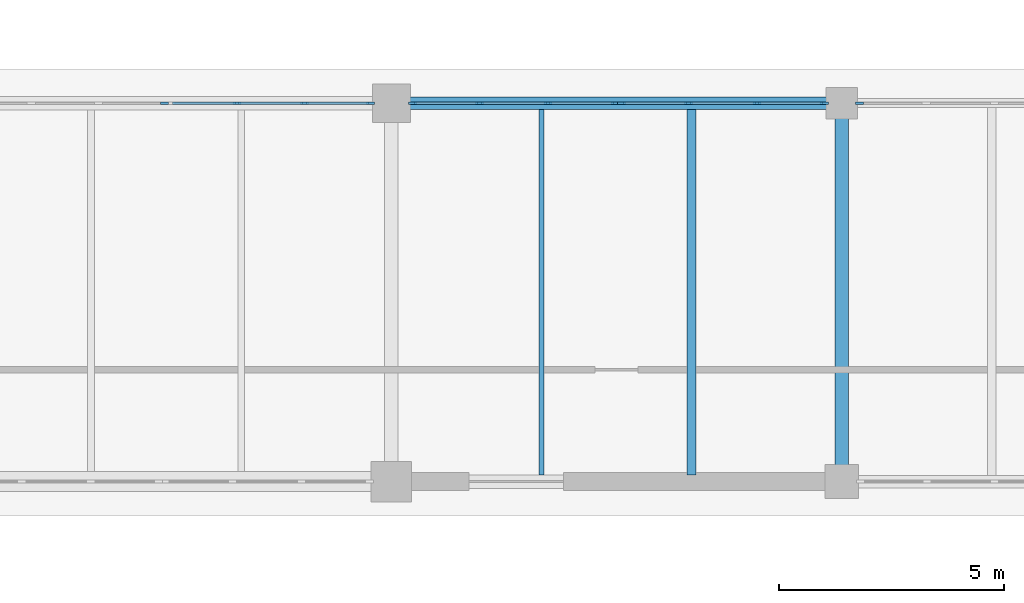
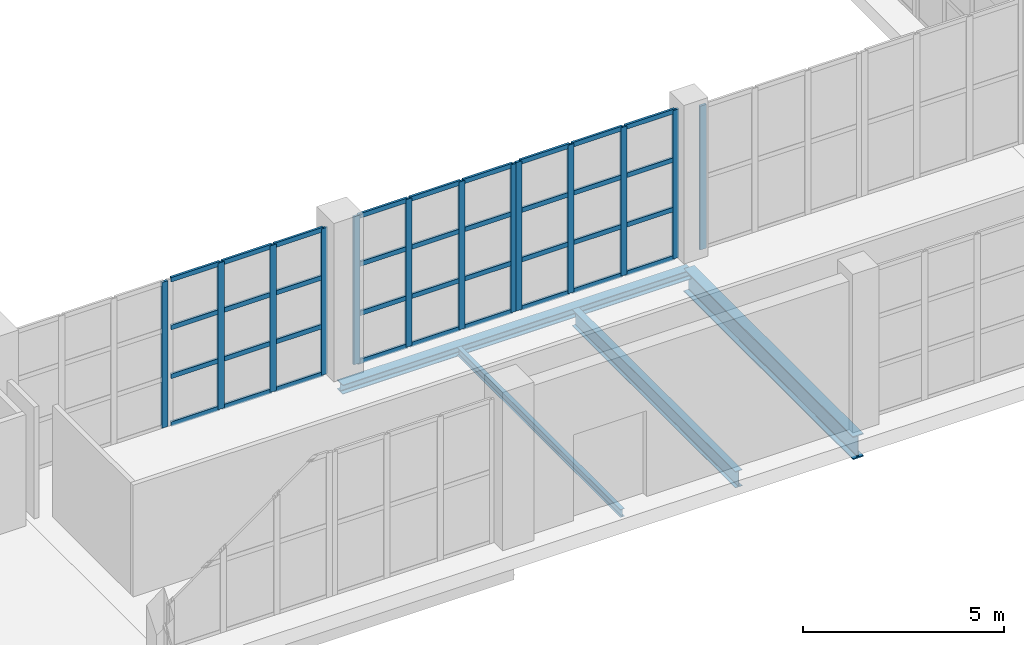
# One storey, part 15 of 121: 49 members, 4 beams, 5 elements without a shape of their own.
"""IFC4 building model written with IfcOpenShell, lengths in metres."""

from ifc_helpers import new_model, si_unit, direction, frame, origin, origin_2d, place, context, subcontext, project, spatial, rectangle, i_section, extrude, material, layer, layer_set, material_profile, profile_set, type_object, element, aggregate, save


model = new_model("IFC4")

# Units and contexts
model_context = context("Model", 3, precision=1e-05, world=origin(), true_north=direction((0.0, 1.0)))
body_context = subcontext(model_context, "Body", "Model", "MODEL_VIEW")
ifc_project = project(units=[si_unit("LENGTHUNIT", "METRE"), si_unit("AREAUNIT", "SQUARE_METRE"), si_unit("VOLUMEUNIT", "CUBIC_METRE"), si_unit("PLANEANGLEUNIT", "RADIAN"), si_unit("MASSUNIT", "GRAM", prefix="KILO")], contexts=[model_context])

# Site, building, storey
site_placement = place(None, origin())
site = spatial("IfcSite", under=ifc_project, at=site_placement, CompositionType="ELEMENT")
building_placement = place(site_placement, origin())
building = spatial("IfcBuilding", under=site, at=building_placement, Name="Zereglee Splitstone Museum", CompositionType="ELEMENT")
storey_placement = place(building_placement, origin())
storey = spatial("IfcBuildingStorey", under=building, at=storey_placement, Name="L00", CompositionType="ELEMENT", Elevation=0.0)

# Curtain wall, member
ifc_material_1 = material(Name="Triple-glazed low-E argon glass and bronze-anodised aluminium", Category="aluminium")
ifc_layer_1 = layer(ifc_material_1, 0.179931640625)
ifc_layer_set_1 = layer_set([ifc_layer_1], Name="Triple-glazed low-E argon glass and bronze-anodised aluminium")
curtain_wall_type_1 = type_object("IfcCurtainWallType", Name="CW-0455-436", PredefinedType="USERDEFINED", material=ifc_layer_set_1)
curtain_wall_1_placement = place(storey_placement, origin())
curtain_wall_1 = element("IfcCurtainWall", 1, at=curtain_wall_1_placement, inside=storey, type_object=curtain_wall_type_1, Name="Glazed Curtain Wall CW-0455-436 (L00)", ObjectType="GLAZED CURTAIN WALL", PredefinedType="USERDEFINED")
ifc_material_2 = material(Name="Thermally broken bronze-anodised aluminium", Category="aluminium")
ifc_material_profile_1 = material_profile(ifc_material_2, rectangle(XDim=0.06494140625, YDim=0.179931640625, at=origin_2d()), Name="CW MULL 65x180")
ifc_profile_set_1 = profile_set([ifc_material_profile_1], Name="Thermally broken bronze-anodised aluminium")
member_type_1 = type_object("IfcMemberType", Name="CWM-01", PredefinedType="MULLION", material=ifc_profile_set_1)
member_1_placement = place(storey_placement, frame((68.390380859375, 38.39990234375, 0.0), z_axis=(0.0, 0.0, 1.0), x_axis=(0.0, -1.0, 0.0)))
member_1 = element("IfcMember", 2, at=member_1_placement, type_object=member_type_1, Name="CW-0455-436 mullion 4", PredefinedType="MULLION", context=body_context, shape_type="SweptSolid", body=[
    extrude(rectangle(XDim=0.06494140625, YDim=0.179931640625, at=origin_2d()), origin(), (0.0, 0.0, 1.0), 4.360107421875),
])
aggregate(curtain_wall_1, [member_1])

# Curtain wall, members
ifc_layer_2 = layer(ifc_material_1, 0.179931640625)
ifc_layer_set_2 = layer_set([ifc_layer_2], Name="Triple-glazed low-E argon glass and bronze-anodised aluminium")
curtain_wall_type_2 = type_object("IfcCurtainWallType", Name="CW-0456-450", PredefinedType="USERDEFINED", material=ifc_layer_set_2)
curtain_wall_2_placement = place(storey_placement, origin())
curtain_wall_2 = element("IfcCurtainWall", 3, at=curtain_wall_2_placement, inside=storey, type_object=curtain_wall_type_2, Name="Glazed Curtain Wall CW-0456-450 (L00)", ObjectType="GLAZED CURTAIN WALL", PredefinedType="USERDEFINED")
member_2_placement = place(storey_placement, frame((67.609619140625, 38.39990234375, 0.0), z_axis=(0.0, 0.0, 1.0), x_axis=(0.0, -1.0, 0.0)))
member_2 = element("IfcMember", 4, at=member_2_placement, type_object=member_type_1, Name="CW-0456-450 mullion 1", PredefinedType="MULLION", context=body_context, shape_type="SweptSolid", body=[
    extrude(rectangle(XDim=0.06494140625, YDim=0.179931640625, at=origin_2d()), origin(), (0.0, 0.0, 1.0), 4.5),
])
member_3_placement = place(storey_placement, frame((66.12060546875, 38.39990234375, 0.0), z_axis=(0.0, 0.0, 1.0), x_axis=(0.0, -1.0, 0.0)))
member_3 = element("IfcMember", 5, at=member_3_placement, type_object=member_type_1, Name="CW-0456-450 mullion 2", PredefinedType="MULLION", context=body_context, shape_type="SweptSolid", body=[
    extrude(rectangle(XDim=0.06494140625, YDim=0.179931640625, at=origin_2d()), origin(), (0.0, 0.0, 1.0), 4.5),
])
member_4_placement = place(storey_placement, frame((64.59912109375, 38.39990234375, 0.0), z_axis=(0.0, 0.0, 1.0), x_axis=(0.0, -1.0, 0.0)))
member_4 = element("IfcMember", 6, at=member_4_placement, type_object=member_type_1, Name="CW-0456-450 mullion 3", PredefinedType="MULLION", context=body_context, shape_type="SweptSolid", body=[
    extrude(rectangle(XDim=0.06494140625, YDim=0.179931640625, at=origin_2d()), origin(), (0.0, 0.0, 1.0), 4.5),
])
member_5_placement = place(storey_placement, frame((63.110107421875, 38.39990234375, 0.0), z_axis=(0.0, 0.0, 1.0), x_axis=(0.0, -1.0, 0.0)))
member_5 = element("IfcMember", 7, at=member_5_placement, type_object=member_type_1, Name="CW-0456-450 mullion 4", PredefinedType="MULLION", context=body_context, shape_type="SweptSolid", body=[
    extrude(rectangle(XDim=0.06494140625, YDim=0.179931640625, at=origin_2d()), origin(), (0.0, 0.0, 1.0), 4.5),
])

ifc_layer_3 = layer(ifc_material_1, 0.179931640625)
ifc_layer_set_3 = layer_set([ifc_layer_3], Name="Triple-glazed low-E argon glass and bronze-anodised aluminium")
curtain_wall_type_3 = type_object("IfcCurtainWallType", Name="CW-0456-448", PredefinedType="USERDEFINED", material=ifc_layer_set_3)
curtain_wall_3_placement = place(storey_placement, origin())
curtain_wall_3 = element("IfcCurtainWall", 8, at=curtain_wall_3_placement, inside=storey, type_object=curtain_wall_type_3, Name="Glazed Curtain Wall CW-0456-448 (L00)", ObjectType="GLAZED CURTAIN WALL", PredefinedType="USERDEFINED")
member_6_placement = place(storey_placement, frame((62.965087890625, 38.39990234375, 0.0), z_axis=(0.0, 0.0, 1.0), x_axis=(0.0, -1.0, 0.0)))
member_6 = element("IfcMember", 9, at=member_6_placement, type_object=member_type_1, Name="CW-0456-448 mullion 1", PredefinedType="MULLION", context=body_context, shape_type="SweptSolid", body=[
    extrude(rectangle(XDim=0.06494140625, YDim=0.179931640625, at=origin_2d()), origin(), (0.0, 0.0, 1.0), 4.47998046875),
])
member_7_placement = place(storey_placement, frame((61.47607421875, 38.39990234375, 0.0), z_axis=(0.0, 0.0, 1.0), x_axis=(0.0, -1.0, 0.0)))
member_7 = element("IfcMember", 10, at=member_7_placement, type_object=member_type_1, Name="CW-0456-448 mullion 2", PredefinedType="MULLION", context=body_context, shape_type="SweptSolid", body=[
    extrude(rectangle(XDim=0.06494140625, YDim=0.179931640625, at=origin_2d()), origin(), (0.0, 0.0, 1.0), 4.47998046875),
])
member_8_placement = place(storey_placement, frame((59.95458984375, 38.39990234375, 0.0), z_axis=(0.0, 0.0, 1.0), x_axis=(0.0, -1.0, 0.0)))
member_8 = element("IfcMember", 11, at=member_8_placement, type_object=member_type_1, Name="CW-0456-448 mullion 3", PredefinedType="MULLION", context=body_context, shape_type="SweptSolid", body=[
    extrude(rectangle(XDim=0.06494140625, YDim=0.179931640625, at=origin_2d()), origin(), (0.0, 0.0, 1.0), 4.47998046875),
])
member_9_placement = place(storey_placement, frame((58.465576171875, 38.39990234375, 0.0), z_axis=(0.0, 0.0, 1.0), x_axis=(0.0, -1.0, 0.0)))
member_9 = element("IfcMember", 12, at=member_9_placement, type_object=member_type_1, Name="CW-0456-448 mullion 4", PredefinedType="MULLION", context=body_context, shape_type="SweptSolid", body=[
    extrude(rectangle(XDim=0.06494140625, YDim=0.179931640625, at=origin_2d()), origin(), (0.0, 0.0, 1.0), 4.47998046875),
])

ifc_layer_4 = layer(ifc_material_1, 0.179931640625)
ifc_layer_set_4 = layer_set([ifc_layer_4], Name="Triple-glazed low-E argon glass and bronze-anodised aluminium")
curtain_wall_type_4 = type_object("IfcCurtainWallType", Name="CW-0449-444", PredefinedType="USERDEFINED", material=ifc_layer_set_4)
curtain_wall_4_placement = place(storey_placement, origin())
curtain_wall_4 = element("IfcCurtainWall", 13, at=curtain_wall_4_placement, inside=storey, type_object=curtain_wall_type_4, Name="Glazed Curtain Wall CW-0449-444 (L00)", ObjectType="GLAZED CURTAIN WALL", PredefinedType="USERDEFINED")
member_10_placement = place(storey_placement, frame((57.534423828125, 38.39990234375, 0.0), z_axis=(0.0, 0.0, 1.0), x_axis=(0.0, -1.0, 0.0)))
member_10 = element("IfcMember", 14, at=member_10_placement, type_object=member_type_1, Name="CW-0449-444 mullion 1", PredefinedType="MULLION", context=body_context, shape_type="SweptSolid", body=[
    extrude(rectangle(XDim=0.06494140625, YDim=0.179931640625, at=origin_2d()), origin(), (0.0, 0.0, 1.0), 4.43994140625),
])
member_11_placement = place(storey_placement, frame((56.070556640625, 38.39990234375, 0.0), z_axis=(0.0, 0.0, 1.0), x_axis=(0.0, -1.0, 0.0)))
member_11 = element("IfcMember", 15, at=member_11_placement, type_object=member_type_1, Name="CW-0449-444 mullion 2", PredefinedType="MULLION", context=body_context, shape_type="SweptSolid", body=[
    extrude(rectangle(XDim=0.06494140625, YDim=0.179931640625, at=origin_2d()), origin(), (0.0, 0.0, 1.0), 4.43994140625),
])
member_12_placement = place(storey_placement, frame((54.573974609375, 38.39990234375, 0.0), z_axis=(0.0, 0.0, 1.0), x_axis=(0.0, -1.0, 0.0)))
member_12 = element("IfcMember", 16, at=member_12_placement, type_object=member_type_1, Name="CW-0449-444 mullion 3", PredefinedType="MULLION", context=body_context, shape_type="SweptSolid", body=[
    extrude(rectangle(XDim=0.06494140625, YDim=0.179931640625, at=origin_2d()), origin(), (0.0, 0.0, 1.0), 4.43994140625),
])

# Curtain wall, member
ifc_layer_5 = layer(ifc_material_1, 0.179931640625)
ifc_layer_set_5 = layer_set([ifc_layer_5], Name="Triple-glazed low-E argon glass and bronze-anodised aluminium")
curtain_wall_type_5 = type_object("IfcCurtainWallType", Name="CW-0449-442", PredefinedType="USERDEFINED", material=ifc_layer_set_5)
curtain_wall_5_placement = place(storey_placement, origin())
curtain_wall_5 = element("IfcCurtainWall", 17, at=curtain_wall_5_placement, inside=storey, type_object=curtain_wall_type_5, Name="Glazed Curtain Wall CW-0449-442 (L00)", ObjectType="GLAZED CURTAIN WALL", PredefinedType="USERDEFINED")
member_13_placement = place(storey_placement, frame((52.965087890625, 38.39990234375, 0.0), z_axis=(0.0, 0.0, 1.0), x_axis=(0.0, -1.0, 0.0)))
member_13 = element("IfcMember", 18, at=member_13_placement, type_object=member_type_1, Name="CW-0449-442 mullion 1", PredefinedType="MULLION", context=body_context, shape_type="SweptSolid", body=[
    extrude(rectangle(XDim=0.06494140625, YDim=0.179931640625, at=origin_2d()), origin(), (0.0, 0.0, 1.0), 4.419921875),
])
aggregate(curtain_wall_5, [member_13])

# Member
ifc_material_profile_2 = material_profile(ifc_material_2, rectangle(XDim=0.06494140625, YDim=0.139892578125, at=origin_2d()), Name="CW TRAN 65x140")
ifc_profile_set_2 = profile_set([ifc_material_profile_2], Name="Thermally broken bronze-anodised aluminium")
member_type_2 = type_object("IfcMemberType", Name="CWT-01", PredefinedType="USERDEFINED", material=ifc_profile_set_2)
member_14_placement = place(storey_placement, frame((67.576904296875, 38.39990234375, 0.032470703125), z_axis=(-1.0, 0.0, 0.0), x_axis=(0.0, -1.0, 0.0)))
member_14 = element("IfcMember", 19, at=member_14_placement, type_object=member_type_2, Name="CW-0456-450 transom 1.1", ObjectType="TRANSOM", PredefinedType="USERDEFINED", context=body_context, shape_type="SweptSolid", body=[
    extrude(rectangle(XDim=0.06494140625, YDim=0.139892578125, at=origin_2d()), origin(), (0.0, 0.0, 1.0), 1.423828125),
])

member_15_placement = place(storey_placement, frame((67.576904296875, 38.39990234375, 1.5), z_axis=(-1.0, 0.0, 0.0), x_axis=(0.0, -1.0, 0.0)))
member_15 = element("IfcMember", 20, at=member_15_placement, type_object=member_type_2, Name="CW-0456-450 transom 1.2", ObjectType="TRANSOM", PredefinedType="USERDEFINED", context=body_context, shape_type="SweptSolid", body=[
    extrude(rectangle(XDim=0.06494140625, YDim=0.139892578125, at=origin_2d()), origin(), (0.0, 0.0, 1.0), 1.423828125),
])

member_16_placement = place(storey_placement, frame((67.576904296875, 38.39990234375, 3.0), z_axis=(-1.0, 0.0, 0.0), x_axis=(0.0, -1.0, 0.0)))
member_16 = element("IfcMember", 21, at=member_16_placement, type_object=member_type_2, Name="CW-0456-450 transom 1.3", ObjectType="TRANSOM", PredefinedType="USERDEFINED", context=body_context, shape_type="SweptSolid", body=[
    extrude(rectangle(XDim=0.06494140625, YDim=0.139892578125, at=origin_2d()), origin(), (0.0, 0.0, 1.0), 1.423828125),
])

member_17_placement = place(storey_placement, frame((67.576904296875, 38.39990234375, 4.467529296875), z_axis=(-1.0, 0.0, 0.0), x_axis=(0.0, -1.0, 0.0)))
member_17 = element("IfcMember", 22, at=member_17_placement, type_object=member_type_2, Name="CW-0456-450 transom 1.4", ObjectType="TRANSOM", PredefinedType="USERDEFINED", context=body_context, shape_type="SweptSolid", body=[
    extrude(rectangle(XDim=0.06494140625, YDim=0.139892578125, at=origin_2d()), origin(), (0.0, 0.0, 1.0), 1.423828125),
])

member_18_placement = place(storey_placement, frame((66.087890625, 38.39990234375, 0.032470703125), z_axis=(-1.0, 0.0, 0.0), x_axis=(0.0, -1.0, 0.0)))
member_18 = element("IfcMember", 23, at=member_18_placement, type_object=member_type_2, Name="CW-0456-450 transom 2.1", ObjectType="TRANSOM", PredefinedType="USERDEFINED", context=body_context, shape_type="SweptSolid", body=[
    extrude(rectangle(XDim=0.06494140625, YDim=0.139892578125, at=origin_2d()), origin(), (0.0, 0.0, 1.0), 1.456298828125),
])

member_19_placement = place(storey_placement, frame((66.087890625, 38.39990234375, 1.5), z_axis=(-1.0, 0.0, 0.0), x_axis=(0.0, -1.0, 0.0)))
member_19 = element("IfcMember", 24, at=member_19_placement, type_object=member_type_2, Name="CW-0456-450 transom 2.2", ObjectType="TRANSOM", PredefinedType="USERDEFINED", context=body_context, shape_type="SweptSolid", body=[
    extrude(rectangle(XDim=0.06494140625, YDim=0.139892578125, at=origin_2d()), origin(), (0.0, 0.0, 1.0), 1.456298828125),
])

member_20_placement = place(storey_placement, frame((66.087890625, 38.39990234375, 3.0), z_axis=(-1.0, 0.0, 0.0), x_axis=(0.0, -1.0, 0.0)))
member_20 = element("IfcMember", 25, at=member_20_placement, type_object=member_type_2, Name="CW-0456-450 transom 2.3", ObjectType="TRANSOM", PredefinedType="USERDEFINED", context=body_context, shape_type="SweptSolid", body=[
    extrude(rectangle(XDim=0.06494140625, YDim=0.139892578125, at=origin_2d()), origin(), (0.0, 0.0, 1.0), 1.456298828125),
])

member_21_placement = place(storey_placement, frame((66.087890625, 38.39990234375, 4.467529296875), z_axis=(-1.0, 0.0, 0.0), x_axis=(0.0, -1.0, 0.0)))
member_21 = element("IfcMember", 26, at=member_21_placement, type_object=member_type_2, Name="CW-0456-450 transom 2.4", ObjectType="TRANSOM", PredefinedType="USERDEFINED", context=body_context, shape_type="SweptSolid", body=[
    extrude(rectangle(XDim=0.06494140625, YDim=0.139892578125, at=origin_2d()), origin(), (0.0, 0.0, 1.0), 1.456298828125),
])

member_22_placement = place(storey_placement, frame((64.56640625, 38.39990234375, 0.032470703125), z_axis=(-1.0, 0.0, 0.0), x_axis=(0.0, -1.0, 0.0)))
member_22 = element("IfcMember", 27, at=member_22_placement, type_object=member_type_2, Name="CW-0456-450 transom 3.1", ObjectType="TRANSOM", PredefinedType="USERDEFINED", context=body_context, shape_type="SweptSolid", body=[
    extrude(rectangle(XDim=0.06494140625, YDim=0.139892578125, at=origin_2d()), origin(), (0.0, 0.0, 1.0), 1.423828125),
])

member_23_placement = place(storey_placement, frame((64.56640625, 38.39990234375, 1.5), z_axis=(-1.0, 0.0, 0.0), x_axis=(0.0, -1.0, 0.0)))
member_23 = element("IfcMember", 28, at=member_23_placement, type_object=member_type_2, Name="CW-0456-450 transom 3.2", ObjectType="TRANSOM", PredefinedType="USERDEFINED", context=body_context, shape_type="SweptSolid", body=[
    extrude(rectangle(XDim=0.06494140625, YDim=0.139892578125, at=origin_2d()), origin(), (0.0, 0.0, 1.0), 1.423828125),
])

member_24_placement = place(storey_placement, frame((64.56640625, 38.39990234375, 3.0), z_axis=(-1.0, 0.0, 0.0), x_axis=(0.0, -1.0, 0.0)))
member_24 = element("IfcMember", 29, at=member_24_placement, type_object=member_type_2, Name="CW-0456-450 transom 3.3", ObjectType="TRANSOM", PredefinedType="USERDEFINED", context=body_context, shape_type="SweptSolid", body=[
    extrude(rectangle(XDim=0.06494140625, YDim=0.139892578125, at=origin_2d()), origin(), (0.0, 0.0, 1.0), 1.423828125),
])

member_25_placement = place(storey_placement, frame((64.56640625, 38.39990234375, 4.467529296875), z_axis=(-1.0, 0.0, 0.0), x_axis=(0.0, -1.0, 0.0)))
member_25 = element("IfcMember", 30, at=member_25_placement, type_object=member_type_2, Name="CW-0456-450 transom 3.4", ObjectType="TRANSOM", PredefinedType="USERDEFINED", context=body_context, shape_type="SweptSolid", body=[
    extrude(rectangle(XDim=0.06494140625, YDim=0.139892578125, at=origin_2d()), origin(), (0.0, 0.0, 1.0), 1.423828125),
])

aggregate(curtain_wall_2, [member_2, member_3, member_4, member_5, member_14, member_15, member_16, member_17, member_18, member_19, member_20, member_21, member_22, member_23, member_24, member_25])

member_26_placement = place(storey_placement, frame((62.9326171875, 38.39990234375, 0.032470703125), z_axis=(-1.0, 0.0, 0.0), x_axis=(0.0, -1.0, 0.0)))
member_26 = element("IfcMember", 31, at=member_26_placement, type_object=member_type_2, Name="CW-0456-448 transom 1.1", ObjectType="TRANSOM", PredefinedType="USERDEFINED", context=body_context, shape_type="SweptSolid", body=[
    extrude(rectangle(XDim=0.06494140625, YDim=0.139892578125, at=origin_2d()), origin(), (0.0, 0.0, 1.0), 1.424072265625),
])

member_27_placement = place(storey_placement, frame((62.9326171875, 38.39990234375, 1.493408203125), z_axis=(-1.0, 0.0, 0.0), x_axis=(0.0, -1.0, 0.0)))
member_27 = element("IfcMember", 32, at=member_27_placement, type_object=member_type_2, Name="CW-0456-448 transom 1.2", ObjectType="TRANSOM", PredefinedType="USERDEFINED", context=body_context, shape_type="SweptSolid", body=[
    extrude(rectangle(XDim=0.06494140625, YDim=0.139892578125, at=origin_2d()), origin(), (0.0, 0.0, 1.0), 1.424072265625),
])

member_28_placement = place(storey_placement, frame((62.9326171875, 38.39990234375, 2.98681640625), z_axis=(-1.0, 0.0, 0.0), x_axis=(0.0, -1.0, 0.0)))
member_28 = element("IfcMember", 33, at=member_28_placement, type_object=member_type_2, Name="CW-0456-448 transom 1.3", ObjectType="TRANSOM", PredefinedType="USERDEFINED", context=body_context, shape_type="SweptSolid", body=[
    extrude(rectangle(XDim=0.06494140625, YDim=0.139892578125, at=origin_2d()), origin(), (0.0, 0.0, 1.0), 1.424072265625),
])

member_29_placement = place(storey_placement, frame((62.9326171875, 38.39990234375, 4.447509765625), z_axis=(-1.0, 0.0, 0.0), x_axis=(0.0, -1.0, 0.0)))
member_29 = element("IfcMember", 34, at=member_29_placement, type_object=member_type_2, Name="CW-0456-448 transom 1.4", ObjectType="TRANSOM", PredefinedType="USERDEFINED", context=body_context, shape_type="SweptSolid", body=[
    extrude(rectangle(XDim=0.06494140625, YDim=0.139892578125, at=origin_2d()), origin(), (0.0, 0.0, 1.0), 1.424072265625),
])

member_30_placement = place(storey_placement, frame((61.443603515625, 38.39990234375, 0.032470703125), z_axis=(-1.0, 0.0, 0.0), x_axis=(0.0, -1.0, 0.0)))
member_30 = element("IfcMember", 35, at=member_30_placement, type_object=member_type_2, Name="CW-0456-448 transom 2.1", ObjectType="TRANSOM", PredefinedType="USERDEFINED", context=body_context, shape_type="SweptSolid", body=[
    extrude(rectangle(XDim=0.06494140625, YDim=0.139892578125, at=origin_2d()), origin(), (0.0, 0.0, 1.0), 1.45654296875),
])

member_31_placement = place(storey_placement, frame((61.443603515625, 38.39990234375, 1.493408203125), z_axis=(-1.0, 0.0, 0.0), x_axis=(0.0, -1.0, 0.0)))
member_31 = element("IfcMember", 36, at=member_31_placement, type_object=member_type_2, Name="CW-0456-448 transom 2.2", ObjectType="TRANSOM", PredefinedType="USERDEFINED", context=body_context, shape_type="SweptSolid", body=[
    extrude(rectangle(XDim=0.06494140625, YDim=0.139892578125, at=origin_2d()), origin(), (0.0, 0.0, 1.0), 1.45654296875),
])

member_32_placement = place(storey_placement, frame((61.443603515625, 38.39990234375, 2.98681640625), z_axis=(-1.0, 0.0, 0.0), x_axis=(0.0, -1.0, 0.0)))
member_32 = element("IfcMember", 37, at=member_32_placement, type_object=member_type_2, Name="CW-0456-448 transom 2.3", ObjectType="TRANSOM", PredefinedType="USERDEFINED", context=body_context, shape_type="SweptSolid", body=[
    extrude(rectangle(XDim=0.06494140625, YDim=0.139892578125, at=origin_2d()), origin(), (0.0, 0.0, 1.0), 1.45654296875),
])

member_33_placement = place(storey_placement, frame((61.443603515625, 38.39990234375, 4.447509765625), z_axis=(-1.0, 0.0, 0.0), x_axis=(0.0, -1.0, 0.0)))
member_33 = element("IfcMember", 38, at=member_33_placement, type_object=member_type_2, Name="CW-0456-448 transom 2.4", ObjectType="TRANSOM", PredefinedType="USERDEFINED", context=body_context, shape_type="SweptSolid", body=[
    extrude(rectangle(XDim=0.06494140625, YDim=0.139892578125, at=origin_2d()), origin(), (0.0, 0.0, 1.0), 1.45654296875),
])

member_34_placement = place(storey_placement, frame((59.922119140625, 38.39990234375, 0.032470703125), z_axis=(-1.0, 0.0, 0.0), x_axis=(0.0, -1.0, 0.0)))
member_34 = element("IfcMember", 39, at=member_34_placement, type_object=member_type_2, Name="CW-0456-448 transom 3.1", ObjectType="TRANSOM", PredefinedType="USERDEFINED", context=body_context, shape_type="SweptSolid", body=[
    extrude(rectangle(XDim=0.06494140625, YDim=0.139892578125, at=origin_2d()), origin(), (0.0, 0.0, 1.0), 1.424072265625),
])

member_35_placement = place(storey_placement, frame((59.922119140625, 38.39990234375, 1.493408203125), z_axis=(-1.0, 0.0, 0.0), x_axis=(0.0, -1.0, 0.0)))
member_35 = element("IfcMember", 40, at=member_35_placement, type_object=member_type_2, Name="CW-0456-448 transom 3.2", ObjectType="TRANSOM", PredefinedType="USERDEFINED", context=body_context, shape_type="SweptSolid", body=[
    extrude(rectangle(XDim=0.06494140625, YDim=0.139892578125, at=origin_2d()), origin(), (0.0, 0.0, 1.0), 1.424072265625),
])

member_36_placement = place(storey_placement, frame((59.922119140625, 38.39990234375, 2.98681640625), z_axis=(-1.0, 0.0, 0.0), x_axis=(0.0, -1.0, 0.0)))
member_36 = element("IfcMember", 41, at=member_36_placement, type_object=member_type_2, Name="CW-0456-448 transom 3.3", ObjectType="TRANSOM", PredefinedType="USERDEFINED", context=body_context, shape_type="SweptSolid", body=[
    extrude(rectangle(XDim=0.06494140625, YDim=0.139892578125, at=origin_2d()), origin(), (0.0, 0.0, 1.0), 1.424072265625),
])

member_37_placement = place(storey_placement, frame((59.922119140625, 38.39990234375, 4.447509765625), z_axis=(-1.0, 0.0, 0.0), x_axis=(0.0, -1.0, 0.0)))
member_37 = element("IfcMember", 42, at=member_37_placement, type_object=member_type_2, Name="CW-0456-448 transom 3.4", ObjectType="TRANSOM", PredefinedType="USERDEFINED", context=body_context, shape_type="SweptSolid", body=[
    extrude(rectangle(XDim=0.06494140625, YDim=0.139892578125, at=origin_2d()), origin(), (0.0, 0.0, 1.0), 1.424072265625),
])

aggregate(curtain_wall_3, [member_6, member_7, member_8, member_9, member_26, member_27, member_28, member_29, member_30, member_31, member_32, member_33, member_34, member_35, member_36, member_37])

member_38_placement = place(storey_placement, frame((57.501953125, 38.39990234375, 0.032470703125), z_axis=(-1.0, 0.0, 0.0), x_axis=(0.0, -1.0, 0.0)))
member_38 = element("IfcMember", 43, at=member_38_placement, type_object=member_type_2, Name="CW-0449-444 transom 1.1", ObjectType="TRANSOM", PredefinedType="USERDEFINED", context=body_context, shape_type="SweptSolid", body=[
    extrude(rectangle(XDim=0.06494140625, YDim=0.139892578125, at=origin_2d()), origin(), (0.0, 0.0, 1.0), 1.39892578125),
])

member_39_placement = place(storey_placement, frame((57.501953125, 38.39990234375, 1.47998046875), z_axis=(-1.0, 0.0, 0.0), x_axis=(0.0, -1.0, 0.0)))
member_39 = element("IfcMember", 44, at=member_39_placement, type_object=member_type_2, Name="CW-0449-444 transom 1.2", ObjectType="TRANSOM", PredefinedType="USERDEFINED", context=body_context, shape_type="SweptSolid", body=[
    extrude(rectangle(XDim=0.06494140625, YDim=0.139892578125, at=origin_2d()), origin(), (0.0, 0.0, 1.0), 1.39892578125),
])

member_40_placement = place(storey_placement, frame((57.501953125, 38.39990234375, 2.9599609375), z_axis=(-1.0, 0.0, 0.0), x_axis=(0.0, -1.0, 0.0)))
member_40 = element("IfcMember", 45, at=member_40_placement, type_object=member_type_2, Name="CW-0449-444 transom 1.3", ObjectType="TRANSOM", PredefinedType="USERDEFINED", context=body_context, shape_type="SweptSolid", body=[
    extrude(rectangle(XDim=0.06494140625, YDim=0.139892578125, at=origin_2d()), origin(), (0.0, 0.0, 1.0), 1.39892578125),
])

member_41_placement = place(storey_placement, frame((57.501953125, 38.39990234375, 4.407470703125), z_axis=(-1.0, 0.0, 0.0), x_axis=(0.0, -1.0, 0.0)))
member_41 = element("IfcMember", 46, at=member_41_placement, type_object=member_type_2, Name="CW-0449-444 transom 1.4", ObjectType="TRANSOM", PredefinedType="USERDEFINED", context=body_context, shape_type="SweptSolid", body=[
    extrude(rectangle(XDim=0.06494140625, YDim=0.139892578125, at=origin_2d()), origin(), (0.0, 0.0, 1.0), 1.39892578125),
])

member_42_placement = place(storey_placement, frame((56.0380859375, 38.39990234375, 0.032470703125), z_axis=(-1.0, 0.0, 0.0), x_axis=(0.0, -1.0, 0.0)))
member_42 = element("IfcMember", 47, at=member_42_placement, type_object=member_type_2, Name="CW-0449-444 transom 2.1", ObjectType="TRANSOM", PredefinedType="USERDEFINED", context=body_context, shape_type="SweptSolid", body=[
    extrude(rectangle(XDim=0.06494140625, YDim=0.139892578125, at=origin_2d()), origin(), (0.0, 0.0, 1.0), 1.431640625),
])

member_43_placement = place(storey_placement, frame((56.0380859375, 38.39990234375, 1.47998046875), z_axis=(-1.0, 0.0, 0.0), x_axis=(0.0, -1.0, 0.0)))
member_43 = element("IfcMember", 48, at=member_43_placement, type_object=member_type_2, Name="CW-0449-444 transom 2.2", ObjectType="TRANSOM", PredefinedType="USERDEFINED", context=body_context, shape_type="SweptSolid", body=[
    extrude(rectangle(XDim=0.06494140625, YDim=0.139892578125, at=origin_2d()), origin(), (0.0, 0.0, 1.0), 1.431640625),
])

member_44_placement = place(storey_placement, frame((56.0380859375, 38.39990234375, 2.9599609375), z_axis=(-1.0, 0.0, 0.0), x_axis=(0.0, -1.0, 0.0)))
member_44 = element("IfcMember", 49, at=member_44_placement, type_object=member_type_2, Name="CW-0449-444 transom 2.3", ObjectType="TRANSOM", PredefinedType="USERDEFINED", context=body_context, shape_type="SweptSolid", body=[
    extrude(rectangle(XDim=0.06494140625, YDim=0.139892578125, at=origin_2d()), origin(), (0.0, 0.0, 1.0), 1.431640625),
])

member_45_placement = place(storey_placement, frame((56.0380859375, 38.39990234375, 4.407470703125), z_axis=(-1.0, 0.0, 0.0), x_axis=(0.0, -1.0, 0.0)))
member_45 = element("IfcMember", 50, at=member_45_placement, type_object=member_type_2, Name="CW-0449-444 transom 2.4", ObjectType="TRANSOM", PredefinedType="USERDEFINED", context=body_context, shape_type="SweptSolid", body=[
    extrude(rectangle(XDim=0.06494140625, YDim=0.139892578125, at=origin_2d()), origin(), (0.0, 0.0, 1.0), 1.431640625),
])

member_46_placement = place(storey_placement, frame((54.54150390625, 38.39990234375, 0.032470703125), z_axis=(-1.0, 0.0, 0.0), x_axis=(0.0, -1.0, 0.0)))
member_46 = element("IfcMember", 51, at=member_46_placement, type_object=member_type_2, Name="CW-0449-444 transom 3.1", ObjectType="TRANSOM", PredefinedType="USERDEFINED", context=body_context, shape_type="SweptSolid", body=[
    extrude(rectangle(XDim=0.06494140625, YDim=0.139892578125, at=origin_2d()), origin(), (0.0, 0.0, 1.0), 1.39892578125),
])

member_47_placement = place(storey_placement, frame((54.54150390625, 38.39990234375, 1.47998046875), z_axis=(-1.0, 0.0, 0.0), x_axis=(0.0, -1.0, 0.0)))
member_47 = element("IfcMember", 52, at=member_47_placement, type_object=member_type_2, Name="CW-0449-444 transom 3.2", ObjectType="TRANSOM", PredefinedType="USERDEFINED", context=body_context, shape_type="SweptSolid", body=[
    extrude(rectangle(XDim=0.06494140625, YDim=0.139892578125, at=origin_2d()), origin(), (0.0, 0.0, 1.0), 1.39892578125),
])

member_48_placement = place(storey_placement, frame((54.54150390625, 38.39990234375, 2.9599609375), z_axis=(-1.0, 0.0, 0.0), x_axis=(0.0, -1.0, 0.0)))
member_48 = element("IfcMember", 53, at=member_48_placement, type_object=member_type_2, Name="CW-0449-444 transom 3.3", ObjectType="TRANSOM", PredefinedType="USERDEFINED", context=body_context, shape_type="SweptSolid", body=[
    extrude(rectangle(XDim=0.06494140625, YDim=0.139892578125, at=origin_2d()), origin(), (0.0, 0.0, 1.0), 1.39892578125),
])

member_49_placement = place(storey_placement, frame((54.54150390625, 38.39990234375, 4.407470703125), z_axis=(-1.0, 0.0, 0.0), x_axis=(0.0, -1.0, 0.0)))
member_49 = element("IfcMember", 54, at=member_49_placement, type_object=member_type_2, Name="CW-0449-444 transom 3.4", ObjectType="TRANSOM", PredefinedType="USERDEFINED", context=body_context, shape_type="SweptSolid", body=[
    extrude(rectangle(XDim=0.06494140625, YDim=0.139892578125, at=origin_2d()), origin(), (0.0, 0.0, 1.0), 1.39892578125),
])

aggregate(curtain_wall_4, [member_10, member_11, member_12, member_38, member_39, member_40, member_41, member_42, member_43, member_44, member_45, member_46, member_47, member_48, member_49])

# Beams
ifc_material_3 = material(Name="Steel S355J2", Category="steel")
ifc_material_profile_3 = material_profile(ifc_material_3, i_section(OverallWidth=0.300048828125, OverallDepth=0.699951171875, WebThickness=0.01708984375, FlangeThickness=0.031982421875, FilletRadius=0.027099609375, at=origin_2d()), Name="HE 700 B")
ifc_profile_set_3 = profile_set([ifc_material_profile_3], Name="Steel S355J2")
beam_type_1 = type_object("IfcBeamType", Name="BG-08", PredefinedType="BEAM", material=ifc_profile_set_3)
beam_1_placement = place(storey_placement, frame((68.0, 30.0, -0.77001953125), z_axis=(0.0, 1.0, 0.0), x_axis=(-1.0, 0.0, 0.0)))
element("IfcBeam", 55, at=beam_1_placement, inside=storey, type_object=beam_type_1, Name="Primary Girder L00 9 (30.0-38.4)", PredefinedType="BEAM", context=body_context, shape_type="SweptSolid", body=[
    extrude(i_section(OverallWidth=0.300048828125, OverallDepth=0.699951171875, WebThickness=0.01708984375, FlangeThickness=0.031982421875, FilletRadius=0.027099609375, at=origin_2d()), origin(), (0.0, 0.0, 1.0), 8.39990234375),
])
ifc_material_profile_4 = material_profile(ifc_material_3, i_section(OverallWidth=0.1201171875, OverallDepth=0.239990234375, WebThickness=0.006103515625, FlangeThickness=0.009765625, FilletRadius=0.014892578125, at=origin_2d()), Name="IPE 240")
ifc_profile_set_4 = profile_set([ifc_material_profile_4], Name="Steel S355J2")
beam_type_2 = type_object("IfcBeamType", Name="BJ-07", PredefinedType="JOIST", material=ifc_profile_set_4)
beam_2_placement = place(storey_placement, frame((61.333251953125, 30.14990234375, -0.5400390625), z_axis=(0.0, 1.0, 0.0), x_axis=(-1.0, 0.0, 0.0)))
element("IfcBeam", 56, at=beam_2_placement, inside=storey, type_object=beam_type_2, Name="Secondary Floor Joist L00-0349", PredefinedType="JOIST", context=body_context, shape_type="SweptSolid", body=[
    extrude(i_section(OverallWidth=0.1201171875, OverallDepth=0.239990234375, WebThickness=0.006103515625, FlangeThickness=0.009765625, FilletRadius=0.014892578125, at=origin_2d()), origin(), (0.0, 0.0, 1.0), 8.110107421875),
])
ifc_material_profile_5 = material_profile(ifc_material_3, i_section(OverallWidth=0.199951171875, OverallDepth=0.5, WebThickness=0.01025390625, FlangeThickness=0.01611328125, FilletRadius=0.02099609375, at=origin_2d()), Name="IPE 500")
ifc_profile_set_5 = profile_set([ifc_material_profile_5], Name="Steel S355J2")
beam_type_3 = type_object("IfcBeamType", Name="BJ-01", PredefinedType="JOIST", material=ifc_profile_set_5)
beam_3_placement = place(storey_placement, frame((64.666748046875, 30.14990234375, -0.669921875), z_axis=(0.0, 1.0, 0.0), x_axis=(-1.0, 0.0, 0.0)))
element("IfcBeam", 57, at=beam_3_placement, inside=storey, type_object=beam_type_3, Name="Secondary Floor Joist L00-0350", PredefinedType="JOIST", context=body_context, shape_type="SweptSolid", body=[
    extrude(i_section(OverallWidth=0.199951171875, OverallDepth=0.5, WebThickness=0.01025390625, FlangeThickness=0.01611328125, FilletRadius=0.02099609375, at=origin_2d()), origin(), (0.0, 0.0, 1.0), 8.110107421875),
])
ifc_material_profile_6 = material_profile(ifc_material_3, i_section(OverallWidth=0.280029296875, OverallDepth=0.280029296875, WebThickness=0.010498046875, FlangeThickness=0.01806640625, FilletRadius=0.02392578125, at=origin_2d()), Name="HE 280 B")
ifc_profile_set_6 = profile_set([ifc_material_profile_6], Name="Steel S355J2")
beam_type_4 = type_object("IfcBeamType", Name="SP-03", PredefinedType="SPANDREL", material=ifc_profile_set_6)
beam_4_placement = place(storey_placement, frame((58.0, 38.39990234375, -0.56005859375), z_axis=(1.0, 0.0, 0.0), x_axis=(0.0, 1.0, 0.0)))
element("IfcBeam", 58, at=beam_4_placement, inside=storey, type_object=beam_type_4, Name="Primary Girder L00 E (58.0-68.0)", PredefinedType="SPANDREL", context=body_context, shape_type="SweptSolid", body=[
    extrude(i_section(OverallWidth=0.280029296875, OverallDepth=0.280029296875, WebThickness=0.010498046875, FlangeThickness=0.01806640625, FilletRadius=0.02392578125, at=origin_2d()), origin(), (0.0, 0.0, 1.0), 10.0),
])

save(model, "model.ifc")
